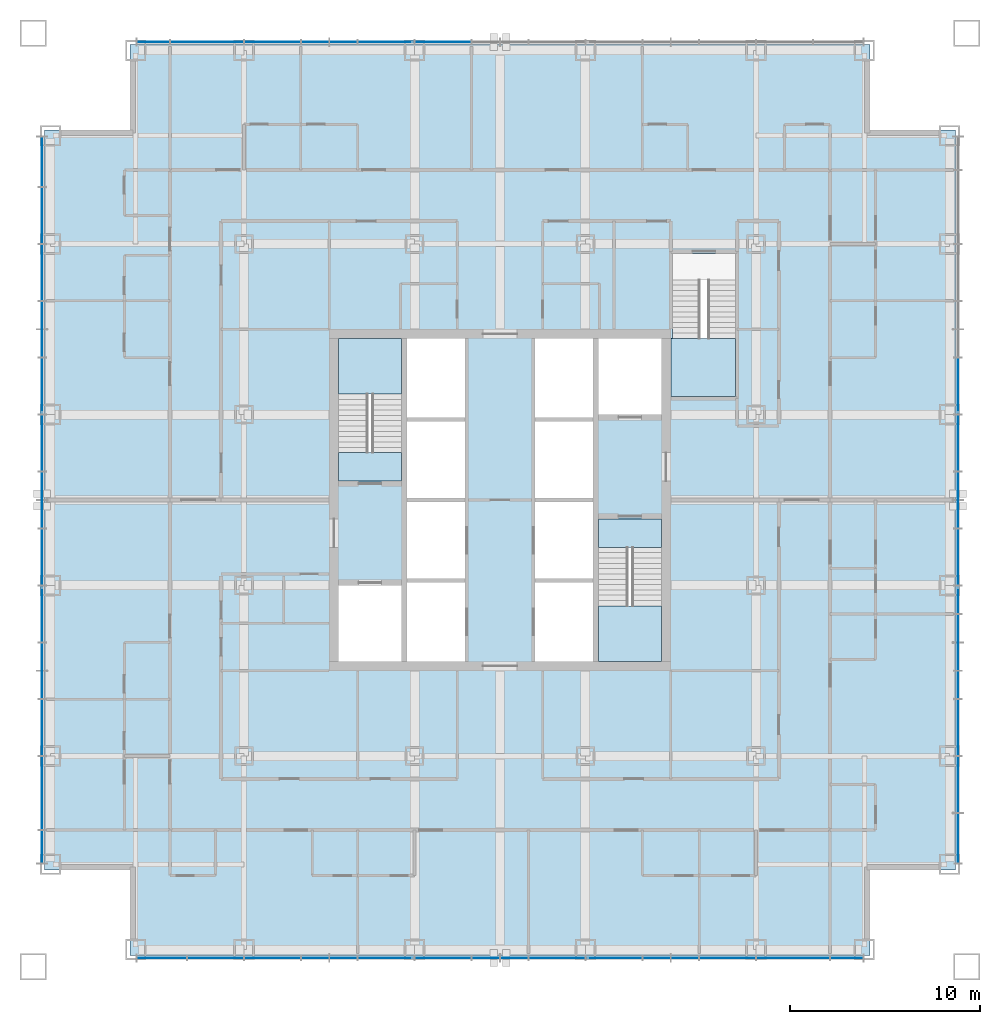
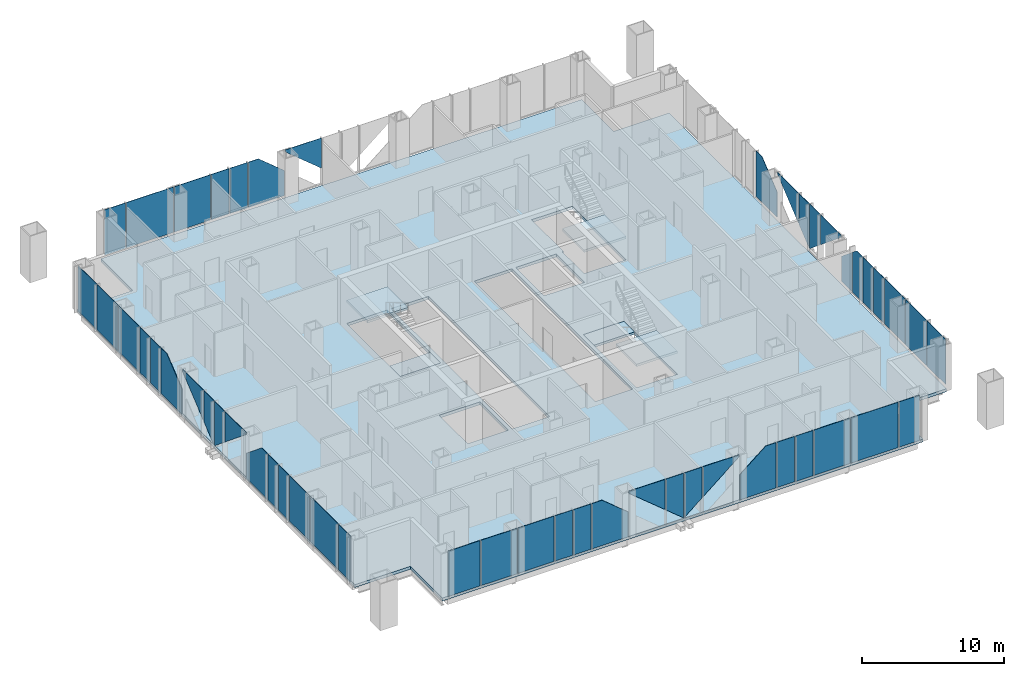
# One storey, part 7 of 17: 51 plates, 6 slabs, 7 elements without a shape of their own.
"""IFC4 building model written with IfcOpenShell, lengths in metres."""

from ifc_helpers import new_model, si_unit, direction, frame, origin, origin_2d, place, context, subcontext, project, spatial, polyline, rectangle, outline, extrude, material, layer, layer_set, type_object, element, aggregate, save


model = new_model("IFC4")

# Units and contexts
model_context = context("Model", 3, precision=1e-05, world=origin(), true_north=direction((0.0, 1.0)))
body_context = subcontext(model_context, "Body", "Model", "MODEL_VIEW")
ifc_project = project(units=[si_unit("LENGTHUNIT", "METRE"), si_unit("AREAUNIT", "SQUARE_METRE"), si_unit("VOLUMEUNIT", "CUBIC_METRE"), si_unit("PLANEANGLEUNIT", "RADIAN"), si_unit("MASSUNIT", "GRAM", prefix="KILO")], contexts=[model_context])

# Site, building, storey
site_placement = place(None, origin())
site = spatial("IfcSite", under=ifc_project, at=site_placement, CompositionType="ELEMENT")
building_placement = place(site_placement, origin())
building = spatial("IfcBuilding", under=site, at=building_placement, Name="Malebo Sky Hospital", CompositionType="ELEMENT")
storey_placement = place(building_placement, frame((0.0, 0.0, 120.0)))
storey = spatial("IfcBuildingStorey", under=building, at=storey_placement, Name="L28", CompositionType="ELEMENT", Elevation=120.0)

# Slab
ifc_material_1 = material(Name="Concrete C40/50", Category="concrete")
ifc_layer_1 = layer(ifc_material_1, 0.25)
ifc_layer_set_1 = layer_set([ifc_layer_1], Name="COMPOSITE FLOOR SLAB 250")
slab_type_1 = type_object("IfcSlabType", Name="COMPOSITE FLOOR SLAB 250", PredefinedType="FLOOR", material=ifc_layer_set_1)
slab_1_placement = place(storey_placement, frame((0.0, 0.0, -0.25)))
element("IfcSlab", 1, at=slab_1_placement, inside=storey, type_object=slab_type_1, Name="Floor slab L28", PredefinedType="FLOOR", context=body_context, shape_type="SweptSolid", body=[
    extrude(outline(polyline([(40.5, 86.0), (40.5, 81.5), (36.0, 81.5), (36.0, 42.5), (40.5, 42.5), (40.5, 38.0), (79.5, 38.0), (79.5, 42.5), (84.0, 42.5), (84.0, 81.5), (79.5, 81.5), (79.5, 86.0), (40.5, 86.0)]), holes=[polyline([(55.10009765625, 70.5), (58.14990234375, 70.5), (58.14990234375, 53.5), (55.10009765625, 53.5), (55.10009765625, 70.5)]), polyline([(64.89990234375, 70.5), (64.89990234375, 53.5), (61.85009765625, 53.5), (61.85009765625, 70.5), (64.89990234375, 70.5)]), polyline([(54.800048828125, 63.0), (51.5, 63.0), (51.5, 70.5), (54.800048828125, 70.5), (54.800048828125, 63.0)]), polyline([(51.5, 53.5), (51.5, 57.5), (54.800048828125, 57.5), (54.800048828125, 53.5), (51.5, 53.5)]), polyline([(65.199951171875, 61.0), (68.5, 61.0), (68.5, 53.5), (65.199951171875, 53.5), (65.199951171875, 61.0)]), polyline([(68.5, 70.5), (68.5, 66.5), (65.199951171875, 66.5), (65.199951171875, 70.5), (68.5, 70.5)]), polyline([(69.0, 67.449951171875), (69.0, 70.52001953125), (69.10009765625, 70.52001953125), (69.10009765625, 75.0), (72.39990234375, 75.0), (72.39990234375, 67.449951171875), (69.10009765625, 67.449951171875), (69.0, 67.449951171875)])]), origin(), (0.0, 0.0, 1.0), 0.25),
])

# Stair, slabs
stair_type_1 = type_object("IfcStairType", Name="HALF-TURN STAIR 1500 R167", PredefinedType="HALF_TURN_STAIR", material=ifc_material_1)
stair_1_placement = place(storey_placement, origin())
stair_1 = element("IfcStair", 2, at=stair_1_placement, inside=storey, type_object=stair_type_1, Name="Stair S1 L28 type ST1", PredefinedType="HALF_TURN_STAIR")
ifc_layer_2 = layer(ifc_material_1, 0.199951171875)
ifc_layer_set_2 = layer_set([ifc_layer_2], Name="STAIR LANDING 200")
slab_type_2 = type_object("IfcSlabType", Name="STAIR LANDING 200", PredefinedType="LANDING", material=ifc_layer_set_2)
slab_2_placement = place(storey_placement, frame((0.0, 0.0, -0.199951171875)))
slab_2 = element("IfcSlab", 3, at=slab_2_placement, type_object=slab_type_2, Name="S1 landing 1", PredefinedType="LANDING", context=body_context, shape_type="SweptSolid", body=[
    extrude(outline(polyline([(51.5, 63.0), (54.800048828125, 63.0), (54.800048828125, 64.5), (51.5, 64.5), (51.5, 63.0)])), origin(), (0.0, 0.0, 1.0), 0.199951171875),
])
slab_3_placement = place(storey_placement, frame((0.0, 0.0, 1.800048828125)))
slab_3 = element("IfcSlab", 4, at=slab_3_placement, type_object=slab_type_2, Name="S1 landing 2", PredefinedType="LANDING", context=body_context, shape_type="SweptSolid", body=[
    extrude(outline(polyline([(51.5, 67.580078125), (54.800048828125, 67.580078125), (54.800048828125, 70.5), (51.5, 70.5), (51.5, 67.580078125)])), origin(), (0.0, 0.0, 1.0), 0.199951171875),
])
aggregate(stair_1, [slab_2, slab_3])

stair_2_placement = place(storey_placement, origin())
stair_2 = element("IfcStair", 5, at=stair_2_placement, inside=storey, type_object=stair_type_1, Name="Stair S2 L28 type ST1", PredefinedType="HALF_TURN_STAIR")
slab_4_placement = place(storey_placement, frame((0.0, 0.0, -0.199951171875)))
slab_4 = element("IfcSlab", 6, at=slab_4_placement, type_object=slab_type_2, Name="S2 landing 1", PredefinedType="LANDING", context=body_context, shape_type="SweptSolid", body=[
    extrude(outline(polyline([(65.199951171875, 59.5), (68.5, 59.5), (68.5, 61.0), (65.199951171875, 61.0), (65.199951171875, 59.5)])), origin(), (0.0, 0.0, 1.0), 0.199951171875),
])
slab_5_placement = place(storey_placement, frame((0.0, 0.0, 1.800048828125)))
slab_5 = element("IfcSlab", 7, at=slab_5_placement, type_object=slab_type_2, Name="S2 landing 2", PredefinedType="LANDING", context=body_context, shape_type="SweptSolid", body=[
    extrude(outline(polyline([(65.199951171875, 53.5), (68.5, 53.5), (68.5, 56.419921875), (65.199951171875, 56.419921875), (65.199951171875, 53.5)])), origin(), (0.0, 0.0, 1.0), 0.199951171875),
])
aggregate(stair_2, [slab_4, slab_5])

# Stair, slab
stair_type_2 = type_object("IfcStairType", Name="HALF-TURN STAIR 1400 R167", PredefinedType="HALF_TURN_STAIR", material=ifc_material_1)
stair_3_placement = place(storey_placement, origin())
stair_3 = element("IfcStair", 8, at=stair_3_placement, inside=storey, type_object=stair_type_2, Name="Stair S3 L28 type ST1B", PredefinedType="HALF_TURN_STAIR")
slab_6_placement = place(storey_placement, frame((0.0, 0.0, 1.800048828125)))
slab_6 = element("IfcSlab", 9, at=slab_6_placement, type_object=slab_type_2, Name="S3 landing 2", PredefinedType="LANDING", context=body_context, shape_type="SweptSolid", body=[
    extrude(outline(polyline([(69.0, 67.449951171875), (72.39990234375, 67.449951171875), (72.39990234375, 70.52001953125), (69.0, 70.52001953125), (69.0, 67.449951171875)])), origin(), (0.0, 0.0, 1.0), 0.199951171875),
])
aggregate(stair_3, [slab_6])

# Curtain wall, plates
ifc_material_2 = material(Name="Anodised aluminium, natural silver", Category="aluminium")
ifc_layer_3 = layer(ifc_material_2, 0.25)
ifc_layer_set_3 = layer_set([ifc_layer_3], Name="WARD CURTAIN WALL NORTH AND SOUTH")
curtain_wall_type_1 = type_object("IfcCurtainWallType", Name="WARD CURTAIN WALL NORTH AND SOUTH", PredefinedType="NOTDEFINED", material=ifc_layer_set_3)
curtain_wall_1_placement = place(storey_placement, origin())
curtain_wall_1 = element("IfcCurtainWall", 10, at=curtain_wall_1_placement, inside=storey, type_object=curtain_wall_type_1, Name="NS curtain wall N", PredefinedType="NOTDEFINED")
ifc_material_3 = material(Name="Clear low-iron double glazing", Category="glass")
ifc_layer_4 = layer(ifc_material_3, 0.031982421875)
ifc_layer_set_4 = layer_set([ifc_layer_4], Name="VISION PANEL CLEAR 32")
plate_type = type_object("IfcPlateType", Name="VISION PANEL CLEAR 32", PredefinedType="CURTAIN_PANEL", material=ifc_layer_set_4)
plate_1_placement = place(storey_placement, frame((41.71875, 86.135009765625, 0.10009765625), z_axis=(0.0, 0.0, 1.0), x_axis=(1.0, 0.0, 0.0)))
plate_1 = element("IfcPlate", 11, at=plate_1_placement, type_object=plate_type, Name="Panel 1", PredefinedType="CURTAIN_PANEL", context=body_context, shape_type="SweptSolid", body=[
    extrude(rectangle(XDim=1.6875, YDim=0.031982421875, at=origin_2d()), origin(), (0.0, 0.0, 1.0), 3.889892578125),
])
plate_2_placement = place(storey_placement, frame((44.550048828125, 86.135009765625, 0.10009765625), z_axis=(0.0, 0.0, 1.0), x_axis=(1.0, 0.0, 0.0)))
plate_2 = element("IfcPlate", 12, at=plate_2_placement, type_object=plate_type, Name="Panel 2", PredefinedType="CURTAIN_PANEL", context=body_context, shape_type="SweptSolid", body=[
    extrude(rectangle(XDim=3.824951171875, YDim=0.031982421875, at=origin_2d()), origin(), (0.0, 0.0, 1.0), 3.889892578125),
])
plate_3_placement = place(storey_placement, frame((48.0, 86.135009765625, 0.10009765625), z_axis=(0.0, 0.0, 1.0), x_axis=(1.0, 0.0, 0.0)))
plate_3 = element("IfcPlate", 13, at=plate_3_placement, type_object=plate_type, Name="Panel 3", PredefinedType="CURTAIN_PANEL", context=body_context, shape_type="SweptSolid", body=[
    extrude(rectangle(XDim=2.925048828125, YDim=0.031982421875, at=origin_2d()), origin(), (0.0, 0.0, 1.0), 3.889892578125),
])
plate_4_placement = place(storey_placement, frame((50.25, 86.135009765625, 0.10009765625), z_axis=(0.0, 0.0, 1.0), x_axis=(1.0, 0.0, 0.0)))
plate_4 = element("IfcPlate", 14, at=plate_4_placement, type_object=plate_type, Name="Panel 4", PredefinedType="CURTAIN_PANEL", context=body_context, shape_type="SweptSolid", body=[
    extrude(rectangle(XDim=1.425048828125, YDim=0.031982421875, at=origin_2d()), origin(), (0.0, 0.0, 1.0), 3.889892578125),
])
plate_5_placement = place(storey_placement, frame((51.75, 86.135009765625, 0.10009765625), z_axis=(0.0, 0.0, 1.0), x_axis=(1.0, 0.0, 0.0)))
plate_5 = element("IfcPlate", 15, at=plate_5_placement, type_object=plate_type, Name="Panel 5", PredefinedType="CURTAIN_PANEL", context=body_context, shape_type="SweptSolid", body=[
    extrude(rectangle(XDim=1.425048828125, YDim=0.031982421875, at=origin_2d()), origin(), (0.0, 0.0, 1.0), 3.889892578125),
])
plate_6_placement = place(storey_placement, frame((54.0, 86.135009765625, 0.10009765625), z_axis=(0.0, 0.0, 1.0), x_axis=(1.0, 0.0, 0.0)))
plate_6 = element("IfcPlate", 16, at=plate_6_placement, type_object=plate_type, Name="Panel 6", PredefinedType="CURTAIN_PANEL", context=body_context, shape_type="SweptSolid", body=[
    extrude(outline(polyline([(-1.46240234375, 0.0), (1.46240234375, 0.0), (1.46240234375, 2.154296875), (-0.6435546875, 3.889892578125), (-1.46240234375, 3.889892578125), (-1.46240234375, 0.0)])), frame((0.0, 0.01611328125, 0.0), z_axis=(0.0, -1.0, 0.0), x_axis=(1.0, 0.0, 0.0)), (0.0, 0.0, 1.0), 0.031982421875),
])
plate_7_placement = place(storey_placement, frame((57.0, 86.135009765625, 1.40283203125), z_axis=(0.0, 0.0, 1.0), x_axis=(1.0, 0.0, 0.0)))
plate_7 = element("IfcPlate", 17, at=plate_7_placement, type_object=plate_type, Name="Panel 7", PredefinedType="CURTAIN_PANEL", context=body_context, shape_type="SweptSolid", body=[
    extrude(outline(polyline([(1.46240234375, 0.0), (1.46240234375, 2.587158203125), (-1.46240234375, 2.587158203125), (-1.46240234375, 2.410888671875), (1.46240234375, 0.0)])), frame((0.0, 0.01611328125, 0.0), z_axis=(0.0, -1.0, 0.0), x_axis=(1.0, 0.0, 0.0)), (0.0, 0.0, 1.0), 0.031982421875),
])
aggregate(curtain_wall_1, [plate_1, plate_2, plate_3, plate_4, plate_5, plate_6, plate_7])

ifc_layer_5 = layer(ifc_material_2, 0.25)
ifc_layer_set_5 = layer_set([ifc_layer_5], Name="WARD CURTAIN WALL EAST AND WEST")
curtain_wall_type_2 = type_object("IfcCurtainWallType", Name="WARD CURTAIN WALL EAST AND WEST", PredefinedType="NOTDEFINED", material=ifc_layer_set_5)
curtain_wall_2_placement = place(storey_placement, origin())
curtain_wall_2 = element("IfcCurtainWall", 18, at=curtain_wall_2_placement, inside=storey, type_object=curtain_wall_type_2, Name="EW curtain wall W", PredefinedType="NOTDEFINED")
plate_8_placement = place(storey_placement, frame((35.864990234375, 43.71875, 0.10009765625), z_axis=(0.0, 0.0, 1.0), x_axis=(0.0, 1.0, 0.0)))
plate_8 = element("IfcPlate", 19, at=plate_8_placement, type_object=plate_type, Name="Panel 1", PredefinedType="CURTAIN_PANEL", context=body_context, shape_type="SweptSolid", body=[
    extrude(rectangle(XDim=1.6875, YDim=0.031982421875, at=origin_2d()), origin(), (0.0, 0.0, 1.0), 3.889892578125),
])
plate_9_placement = place(storey_placement, frame((35.864990234375, 46.550048828125, 0.10009765625), z_axis=(0.0, 0.0, 1.0), x_axis=(0.0, 1.0, 0.0)))
plate_9 = element("IfcPlate", 20, at=plate_9_placement, type_object=plate_type, Name="Panel 2", PredefinedType="CURTAIN_PANEL", context=body_context, shape_type="SweptSolid", body=[
    extrude(rectangle(XDim=3.824951171875, YDim=0.031982421875, at=origin_2d()), origin(), (0.0, 0.0, 1.0), 3.889892578125),
])
plate_10_placement = place(storey_placement, frame((35.864990234375, 50.0, 0.10009765625), z_axis=(0.0, 0.0, 1.0), x_axis=(0.0, 1.0, 0.0)))
plate_10 = element("IfcPlate", 21, at=plate_10_placement, type_object=plate_type, Name="Panel 3", PredefinedType="CURTAIN_PANEL", context=body_context, shape_type="SweptSolid", body=[
    extrude(rectangle(XDim=2.925048828125, YDim=0.031982421875, at=origin_2d()), origin(), (0.0, 0.0, 1.0), 3.889892578125),
])
plate_11_placement = place(storey_placement, frame((35.864990234375, 52.25, 0.10009765625), z_axis=(0.0, 0.0, 1.0), x_axis=(0.0, 1.0, 0.0)))
plate_11 = element("IfcPlate", 22, at=plate_11_placement, type_object=plate_type, Name="Panel 4", PredefinedType="CURTAIN_PANEL", context=body_context, shape_type="SweptSolid", body=[
    extrude(rectangle(XDim=1.425048828125, YDim=0.031982421875, at=origin_2d()), origin(), (0.0, 0.0, 1.0), 3.889892578125),
])
plate_12_placement = place(storey_placement, frame((35.864990234375, 53.75, 0.10009765625), z_axis=(0.0, 0.0, 1.0), x_axis=(0.0, 1.0, 0.0)))
plate_12 = element("IfcPlate", 23, at=plate_12_placement, type_object=plate_type, Name="Panel 5", PredefinedType="CURTAIN_PANEL", context=body_context, shape_type="SweptSolid", body=[
    extrude(rectangle(XDim=1.425048828125, YDim=0.031982421875, at=origin_2d()), origin(), (0.0, 0.0, 1.0), 3.889892578125),
])
plate_13_placement = place(storey_placement, frame((35.864990234375, 56.0, 0.10009765625), z_axis=(0.0, 0.0, 1.0), x_axis=(0.0, 1.0, 0.0)))
plate_13 = element("IfcPlate", 24, at=plate_13_placement, type_object=plate_type, Name="Panel 6", PredefinedType="CURTAIN_PANEL", context=body_context, shape_type="SweptSolid", body=[
    extrude(outline(polyline([(-1.46240234375, 0.0), (1.46240234375, 0.0), (1.46240234375, 2.154296875), (-0.6435546875, 3.889892578125), (-1.46240234375, 3.889892578125), (-1.46240234375, 0.0)])), frame((0.0, 0.01611328125, 0.0), z_axis=(0.0, -1.0, 0.0), x_axis=(1.0, 0.0, 0.0)), (0.0, 0.0, 1.0), 0.031982421875),
])
plate_14_placement = place(storey_placement, frame((35.864990234375, 59.0, 1.40283203125), z_axis=(0.0, 0.0, 1.0), x_axis=(0.0, 1.0, 0.0)))
plate_14 = element("IfcPlate", 25, at=plate_14_placement, type_object=plate_type, Name="Panel 7", PredefinedType="CURTAIN_PANEL", context=body_context, shape_type="SweptSolid", body=[
    extrude(outline(polyline([(1.46240234375, 0.0), (1.46240234375, 2.587158203125), (-1.46240234375, 2.587158203125), (-1.46240234375, 2.410888671875), (1.46240234375, 0.0)])), frame((0.0, 0.01611328125, 0.0), z_axis=(0.0, -1.0, 0.0), x_axis=(1.0, 0.0, 0.0)), (0.0, 0.0, 1.0), 0.031982421875),
])
plate_15_placement = place(storey_placement, frame((35.864990234375, 61.25, 0.16650390625), z_axis=(0.0, 0.0, 1.0), x_axis=(0.0, 1.0, 0.0)))
plate_15 = element("IfcPlate", 26, at=plate_15_placement, type_object=plate_type, Name="Panel 8", PredefinedType="CURTAIN_PANEL", context=body_context, shape_type="SweptSolid", body=[
    extrude(outline(polyline([(0.71240234375, 0.0), (0.71240234375, 3.823486328125), (-0.71240234375, 3.823486328125), (-0.71240234375, 1.174560546875), (0.71240234375, 0.0)])), frame((0.0, 0.01611328125, 0.0), z_axis=(0.0, -1.0, 0.0), x_axis=(1.0, 0.0, 0.0)), (0.0, 0.0, 1.0), 0.031982421875),
])
plate_16_placement = place(storey_placement, frame((35.864990234375, 62.75, 0.16650390625), z_axis=(0.0, 0.0, 1.0), x_axis=(0.0, 1.0, 0.0)))
plate_16 = element("IfcPlate", 27, at=plate_16_placement, type_object=plate_type, Name="Panel 9", PredefinedType="CURTAIN_PANEL", context=body_context, shape_type="SweptSolid", body=[
    extrude(outline(polyline([(-0.71240234375, 0.0), (0.71240234375, 1.174560546875), (0.71240234375, 3.823486328125), (-0.71240234375, 3.823486328125), (-0.71240234375, 0.0)])), frame((0.0, 0.01611328125, 0.0), z_axis=(0.0, -1.0, 0.0), x_axis=(1.0, 0.0, 0.0)), (0.0, 0.0, 1.0), 0.031982421875),
])
plate_17_placement = place(storey_placement, frame((35.864990234375, 65.0, 1.40283203125), z_axis=(0.0, 0.0, 1.0), x_axis=(0.0, 1.0, 0.0)))
plate_17 = element("IfcPlate", 28, at=plate_17_placement, type_object=plate_type, Name="Panel 10", PredefinedType="CURTAIN_PANEL", context=body_context, shape_type="SweptSolid", body=[
    extrude(outline(polyline([(-1.46240234375, 0.0), (1.46240234375, 2.410888671875), (1.46240234375, 2.587158203125), (-1.46240234375, 2.587158203125), (-1.46240234375, 0.0)])), frame((0.0, 0.01611328125, 0.0), z_axis=(0.0, -1.0, 0.0), x_axis=(1.0, 0.0, 0.0)), (0.0, 0.0, 1.0), 0.031982421875),
])
plate_18_placement = place(storey_placement, frame((35.864990234375, 68.0, 0.10009765625), z_axis=(0.0, 0.0, 1.0), x_axis=(0.0, 1.0, 0.0)))
plate_18 = element("IfcPlate", 29, at=plate_18_placement, type_object=plate_type, Name="Panel 11", PredefinedType="CURTAIN_PANEL", context=body_context, shape_type="SweptSolid", body=[
    extrude(outline(polyline([(-1.46240234375, 0.0), (1.46240234375, 0.0), (1.46240234375, 3.889892578125), (0.6435546875, 3.889892578125), (-1.46240234375, 2.154296875), (-1.46240234375, 0.0)])), frame((0.0, 0.01611328125, 0.0), z_axis=(0.0, -1.0, 0.0), x_axis=(1.0, 0.0, 0.0)), (0.0, 0.0, 1.0), 0.031982421875),
])
plate_19_placement = place(storey_placement, frame((35.864990234375, 70.25, 0.10009765625), z_axis=(0.0, 0.0, 1.0), x_axis=(0.0, 1.0, 0.0)))
plate_19 = element("IfcPlate", 30, at=plate_19_placement, type_object=plate_type, Name="Panel 12", PredefinedType="CURTAIN_PANEL", context=body_context, shape_type="SweptSolid", body=[
    extrude(rectangle(XDim=1.425048828125, YDim=0.031982421875, at=origin_2d()), origin(), (0.0, 0.0, 1.0), 3.889892578125),
])
plate_20_placement = place(storey_placement, frame((35.864990234375, 71.75, 0.10009765625), z_axis=(0.0, 0.0, 1.0), x_axis=(0.0, 1.0, 0.0)))
plate_20 = element("IfcPlate", 31, at=plate_20_placement, type_object=plate_type, Name="Panel 13", PredefinedType="CURTAIN_PANEL", context=body_context, shape_type="SweptSolid", body=[
    extrude(rectangle(XDim=1.425048828125, YDim=0.031982421875, at=origin_2d()), origin(), (0.0, 0.0, 1.0), 3.889892578125),
])
plate_21_placement = place(storey_placement, frame((35.864990234375, 74.0, 0.10009765625), z_axis=(0.0, 0.0, 1.0), x_axis=(0.0, 1.0, 0.0)))
plate_21 = element("IfcPlate", 32, at=plate_21_placement, type_object=plate_type, Name="Panel 14", PredefinedType="CURTAIN_PANEL", context=body_context, shape_type="SweptSolid", body=[
    extrude(rectangle(XDim=2.925048828125, YDim=0.031982421875, at=origin_2d()), origin(), (0.0, 0.0, 1.0), 3.889892578125),
])
plate_22_placement = place(storey_placement, frame((35.864990234375, 77.0, 0.10009765625), z_axis=(0.0, 0.0, 1.0), x_axis=(0.0, 1.0, 0.0)))
plate_22 = element("IfcPlate", 33, at=plate_22_placement, type_object=plate_type, Name="Panel 15", PredefinedType="CURTAIN_PANEL", context=body_context, shape_type="SweptSolid", body=[
    extrude(rectangle(XDim=2.925048828125, YDim=0.031982421875, at=origin_2d()), origin(), (0.0, 0.0, 1.0), 3.889892578125),
])
plate_23_placement = place(storey_placement, frame((35.864990234375, 79.831298828125, 0.10009765625), z_axis=(0.0, 0.0, 1.0), x_axis=(0.0, 1.0, 0.0)))
plate_23 = element("IfcPlate", 34, at=plate_23_placement, type_object=plate_type, Name="Panel 16", PredefinedType="CURTAIN_PANEL", context=body_context, shape_type="SweptSolid", body=[
    extrude(rectangle(XDim=2.58740234375, YDim=0.031982421875, at=origin_2d()), origin(), (0.0, 0.0, 1.0), 3.889892578125),
])
aggregate(curtain_wall_2, [plate_8, plate_9, plate_10, plate_11, plate_12, plate_13, plate_14, plate_15, plate_16, plate_17, plate_18, plate_19, plate_20, plate_21, plate_22, plate_23])

curtain_wall_3_placement = place(storey_placement, origin())
curtain_wall_3 = element("IfcCurtainWall", 35, at=curtain_wall_3_placement, inside=storey, type_object=curtain_wall_type_1, Name="NS curtain wall S", PredefinedType="NOTDEFINED")
plate_24_placement = place(storey_placement, frame((78.28125, 37.864990234375, 0.10009765625), z_axis=(0.0, 0.0, 1.0), x_axis=(-1.0, 0.0, 0.0)))
plate_24 = element("IfcPlate", 36, at=plate_24_placement, type_object=plate_type, Name="Panel 1", PredefinedType="CURTAIN_PANEL", context=body_context, shape_type="SweptSolid", body=[
    extrude(rectangle(XDim=1.6875, YDim=0.031982421875, at=origin_2d()), origin(), (0.0, 0.0, 1.0), 3.889892578125),
])
plate_25_placement = place(storey_placement, frame((75.449951171875, 37.864990234375, 0.10009765625), z_axis=(0.0, 0.0, 1.0), x_axis=(-1.0, 0.0, 0.0)))
plate_25 = element("IfcPlate", 37, at=plate_25_placement, type_object=plate_type, Name="Panel 2", PredefinedType="CURTAIN_PANEL", context=body_context, shape_type="SweptSolid", body=[
    extrude(rectangle(XDim=3.824951171875, YDim=0.031982421875, at=origin_2d()), origin(), (0.0, 0.0, 1.0), 3.889892578125),
])
plate_26_placement = place(storey_placement, frame((72.0, 37.864990234375, 0.10009765625), z_axis=(0.0, 0.0, 1.0), x_axis=(-1.0, 0.0, 0.0)))
plate_26 = element("IfcPlate", 38, at=plate_26_placement, type_object=plate_type, Name="Panel 3", PredefinedType="CURTAIN_PANEL", context=body_context, shape_type="SweptSolid", body=[
    extrude(rectangle(XDim=2.925048828125, YDim=0.031982421875, at=origin_2d()), origin(), (0.0, 0.0, 1.0), 3.889892578125),
])
plate_27_placement = place(storey_placement, frame((69.75, 37.864990234375, 0.10009765625), z_axis=(0.0, 0.0, 1.0), x_axis=(-1.0, 0.0, 0.0)))
plate_27 = element("IfcPlate", 39, at=plate_27_placement, type_object=plate_type, Name="Panel 4", PredefinedType="CURTAIN_PANEL", context=body_context, shape_type="SweptSolid", body=[
    extrude(rectangle(XDim=1.425048828125, YDim=0.031982421875, at=origin_2d()), origin(), (0.0, 0.0, 1.0), 3.889892578125),
])
plate_28_placement = place(storey_placement, frame((68.25, 37.864990234375, 0.10009765625), z_axis=(0.0, 0.0, 1.0), x_axis=(-1.0, 0.0, 0.0)))
plate_28 = element("IfcPlate", 40, at=plate_28_placement, type_object=plate_type, Name="Panel 5", PredefinedType="CURTAIN_PANEL", context=body_context, shape_type="SweptSolid", body=[
    extrude(rectangle(XDim=1.425048828125, YDim=0.031982421875, at=origin_2d()), origin(), (0.0, 0.0, 1.0), 3.889892578125),
])
plate_29_placement = place(storey_placement, frame((66.0, 37.864990234375, 0.10009765625), z_axis=(0.0, 0.0, 1.0), x_axis=(-1.0, 0.0, 0.0)))
plate_29 = element("IfcPlate", 41, at=plate_29_placement, type_object=plate_type, Name="Panel 6", PredefinedType="CURTAIN_PANEL", context=body_context, shape_type="SweptSolid", body=[
    extrude(outline(polyline([(-1.46240234375, 0.0), (1.46240234375, 0.0), (1.46240234375, 2.154296875), (-0.6435546875, 3.889892578125), (-1.46240234375, 3.889892578125), (-1.46240234375, 0.0)])), frame((0.0, 0.01611328125, 0.0), z_axis=(0.0, -1.0, 0.0), x_axis=(1.0, 0.0, 0.0)), (0.0, 0.0, 1.0), 0.031982421875),
])
plate_30_placement = place(storey_placement, frame((63.0, 37.864990234375, 1.40283203125), z_axis=(0.0, 0.0, 1.0), x_axis=(-1.0, 0.0, 0.0)))
plate_30 = element("IfcPlate", 42, at=plate_30_placement, type_object=plate_type, Name="Panel 7", PredefinedType="CURTAIN_PANEL", context=body_context, shape_type="SweptSolid", body=[
    extrude(outline(polyline([(1.46240234375, 0.0), (1.46240234375, 2.587158203125), (-1.46240234375, 2.587158203125), (-1.46240234375, 2.410888671875), (1.46240234375, 0.0)])), frame((0.0, 0.01611328125, 0.0), z_axis=(0.0, -1.0, 0.0), x_axis=(1.0, 0.0, 0.0)), (0.0, 0.0, 1.0), 0.031982421875),
])
plate_31_placement = place(storey_placement, frame((60.75, 37.864990234375, 0.16650390625), z_axis=(0.0, 0.0, 1.0), x_axis=(-1.0, 0.0, 0.0)))
plate_31 = element("IfcPlate", 43, at=plate_31_placement, type_object=plate_type, Name="Panel 8", PredefinedType="CURTAIN_PANEL", context=body_context, shape_type="SweptSolid", body=[
    extrude(outline(polyline([(0.71240234375, 0.0), (0.71240234375, 3.823486328125), (-0.71240234375, 3.823486328125), (-0.71240234375, 1.174560546875), (0.71240234375, 0.0)])), frame((0.0, 0.01611328125, 0.0), z_axis=(0.0, -1.0, 0.0), x_axis=(1.0, 0.0, 0.0)), (0.0, 0.0, 1.0), 0.031982421875),
])
plate_32_placement = place(storey_placement, frame((59.25, 37.864990234375, 0.16650390625), z_axis=(0.0, 0.0, 1.0), x_axis=(-1.0, 0.0, 0.0)))
plate_32 = element("IfcPlate", 44, at=plate_32_placement, type_object=plate_type, Name="Panel 9", PredefinedType="CURTAIN_PANEL", context=body_context, shape_type="SweptSolid", body=[
    extrude(outline(polyline([(-0.71240234375, 0.0), (0.71240234375, 1.174560546875), (0.71240234375, 3.823486328125), (-0.71240234375, 3.823486328125), (-0.71240234375, 0.0)])), frame((0.0, 0.01611328125, 0.0), z_axis=(0.0, -1.0, 0.0), x_axis=(1.0, 0.0, 0.0)), (0.0, 0.0, 1.0), 0.031982421875),
])
plate_33_placement = place(storey_placement, frame((57.0, 37.864990234375, 1.40283203125), z_axis=(0.0, 0.0, 1.0), x_axis=(-1.0, 0.0, 0.0)))
plate_33 = element("IfcPlate", 45, at=plate_33_placement, type_object=plate_type, Name="Panel 10", PredefinedType="CURTAIN_PANEL", context=body_context, shape_type="SweptSolid", body=[
    extrude(outline(polyline([(-1.46240234375, 0.0), (1.46240234375, 2.410888671875), (1.46240234375, 2.587158203125), (-1.46240234375, 2.587158203125), (-1.46240234375, 0.0)])), frame((0.0, 0.01611328125, 0.0), z_axis=(0.0, -1.0, 0.0), x_axis=(1.0, 0.0, 0.0)), (0.0, 0.0, 1.0), 0.031982421875),
])
plate_34_placement = place(storey_placement, frame((54.0, 37.864990234375, 0.10009765625), z_axis=(0.0, 0.0, 1.0), x_axis=(-1.0, 0.0, 0.0)))
plate_34 = element("IfcPlate", 46, at=plate_34_placement, type_object=plate_type, Name="Panel 11", PredefinedType="CURTAIN_PANEL", context=body_context, shape_type="SweptSolid", body=[
    extrude(outline(polyline([(-1.46240234375, 0.0), (1.46240234375, 0.0), (1.46240234375, 3.889892578125), (0.6435546875, 3.889892578125), (-1.46240234375, 2.154296875), (-1.46240234375, 0.0)])), frame((0.0, 0.01611328125, 0.0), z_axis=(0.0, -1.0, 0.0), x_axis=(1.0, 0.0, 0.0)), (0.0, 0.0, 1.0), 0.031982421875),
])
plate_35_placement = place(storey_placement, frame((51.75, 37.864990234375, 0.10009765625), z_axis=(0.0, 0.0, 1.0), x_axis=(-1.0, 0.0, 0.0)))
plate_35 = element("IfcPlate", 47, at=plate_35_placement, type_object=plate_type, Name="Panel 12", PredefinedType="CURTAIN_PANEL", context=body_context, shape_type="SweptSolid", body=[
    extrude(rectangle(XDim=1.425048828125, YDim=0.031982421875, at=origin_2d()), origin(), (0.0, 0.0, 1.0), 3.889892578125),
])
plate_36_placement = place(storey_placement, frame((50.25, 37.864990234375, 0.10009765625), z_axis=(0.0, 0.0, 1.0), x_axis=(-1.0, 0.0, 0.0)))
plate_36 = element("IfcPlate", 48, at=plate_36_placement, type_object=plate_type, Name="Panel 13", PredefinedType="CURTAIN_PANEL", context=body_context, shape_type="SweptSolid", body=[
    extrude(rectangle(XDim=1.425048828125, YDim=0.031982421875, at=origin_2d()), origin(), (0.0, 0.0, 1.0), 3.889892578125),
])
plate_37_placement = place(storey_placement, frame((48.0, 37.864990234375, 0.10009765625), z_axis=(0.0, 0.0, 1.0), x_axis=(-1.0, 0.0, 0.0)))
plate_37 = element("IfcPlate", 49, at=plate_37_placement, type_object=plate_type, Name="Panel 14", PredefinedType="CURTAIN_PANEL", context=body_context, shape_type="SweptSolid", body=[
    extrude(rectangle(XDim=2.925048828125, YDim=0.031982421875, at=origin_2d()), origin(), (0.0, 0.0, 1.0), 3.889892578125),
])
plate_38_placement = place(storey_placement, frame((45.0, 37.864990234375, 0.10009765625), z_axis=(0.0, 0.0, 1.0), x_axis=(-1.0, 0.0, 0.0)))
plate_38 = element("IfcPlate", 50, at=plate_38_placement, type_object=plate_type, Name="Panel 15", PredefinedType="CURTAIN_PANEL", context=body_context, shape_type="SweptSolid", body=[
    extrude(rectangle(XDim=2.925048828125, YDim=0.031982421875, at=origin_2d()), origin(), (0.0, 0.0, 1.0), 3.889892578125),
])
plate_39_placement = place(storey_placement, frame((42.168701171875, 37.864990234375, 0.10009765625), z_axis=(0.0, 0.0, 1.0), x_axis=(-1.0, 0.0, 0.0)))
plate_39 = element("IfcPlate", 51, at=plate_39_placement, type_object=plate_type, Name="Panel 16", PredefinedType="CURTAIN_PANEL", context=body_context, shape_type="SweptSolid", body=[
    extrude(rectangle(XDim=2.58740234375, YDim=0.031982421875, at=origin_2d()), origin(), (0.0, 0.0, 1.0), 3.889892578125),
])
aggregate(curtain_wall_3, [plate_24, plate_25, plate_26, plate_27, plate_28, plate_29, plate_30, plate_31, plate_32, plate_33, plate_34, plate_35, plate_36, plate_37, plate_38, plate_39])

curtain_wall_4_placement = place(storey_placement, origin())
curtain_wall_4 = element("IfcCurtainWall", 52, at=curtain_wall_4_placement, inside=storey, type_object=curtain_wall_type_2, Name="EW curtain wall E", PredefinedType="NOTDEFINED")
plate_40_placement = place(storey_placement, frame((84.135009765625, 68.0, 0.10009765625), z_axis=(0.0, 0.0, 1.0), x_axis=(0.0, -1.0, 0.0)))
plate_40 = element("IfcPlate", 53, at=plate_40_placement, type_object=plate_type, Name="Panel 6", PredefinedType="CURTAIN_PANEL", context=body_context, shape_type="SweptSolid", body=[
    extrude(outline(polyline([(-1.46240234375, 0.0), (1.46240234375, 0.0), (1.46240234375, 2.154296875), (-0.6435546875, 3.889892578125), (-1.46240234375, 3.889892578125), (-1.46240234375, 0.0)])), frame((0.0, 0.01611328125, 0.0), z_axis=(0.0, -1.0, 0.0), x_axis=(1.0, 0.0, 0.0)), (0.0, 0.0, 1.0), 0.031982421875),
])
plate_41_placement = place(storey_placement, frame((84.135009765625, 65.0, 1.40283203125), z_axis=(0.0, 0.0, 1.0), x_axis=(0.0, -1.0, 0.0)))
plate_41 = element("IfcPlate", 54, at=plate_41_placement, type_object=plate_type, Name="Panel 7", PredefinedType="CURTAIN_PANEL", context=body_context, shape_type="SweptSolid", body=[
    extrude(outline(polyline([(1.46240234375, 0.0), (1.46240234375, 2.587158203125), (-1.46240234375, 2.587158203125), (-1.46240234375, 2.410888671875), (1.46240234375, 0.0)])), frame((0.0, 0.01611328125, 0.0), z_axis=(0.0, -1.0, 0.0), x_axis=(1.0, 0.0, 0.0)), (0.0, 0.0, 1.0), 0.031982421875),
])
plate_42_placement = place(storey_placement, frame((84.135009765625, 62.75, 0.16650390625), z_axis=(0.0, 0.0, 1.0), x_axis=(0.0, -1.0, 0.0)))
plate_42 = element("IfcPlate", 55, at=plate_42_placement, type_object=plate_type, Name="Panel 8", PredefinedType="CURTAIN_PANEL", context=body_context, shape_type="SweptSolid", body=[
    extrude(outline(polyline([(0.71240234375, 0.0), (0.71240234375, 3.823486328125), (-0.71240234375, 3.823486328125), (-0.71240234375, 1.174560546875), (0.71240234375, 0.0)])), frame((0.0, 0.01611328125, 0.0), z_axis=(0.0, -1.0, 0.0), x_axis=(1.0, 0.0, 0.0)), (0.0, 0.0, 1.0), 0.031982421875),
])
plate_43_placement = place(storey_placement, frame((84.135009765625, 61.25, 0.16650390625), z_axis=(0.0, 0.0, 1.0), x_axis=(0.0, -1.0, 0.0)))
plate_43 = element("IfcPlate", 56, at=plate_43_placement, type_object=plate_type, Name="Panel 9", PredefinedType="CURTAIN_PANEL", context=body_context, shape_type="SweptSolid", body=[
    extrude(outline(polyline([(-0.71240234375, 0.0), (0.71240234375, 1.174560546875), (0.71240234375, 3.823486328125), (-0.71240234375, 3.823486328125), (-0.71240234375, 0.0)])), frame((0.0, 0.01611328125, 0.0), z_axis=(0.0, -1.0, 0.0), x_axis=(1.0, 0.0, 0.0)), (0.0, 0.0, 1.0), 0.031982421875),
])
plate_44_placement = place(storey_placement, frame((84.135009765625, 59.0, 1.40283203125), z_axis=(0.0, 0.0, 1.0), x_axis=(0.0, -1.0, 0.0)))
plate_44 = element("IfcPlate", 57, at=plate_44_placement, type_object=plate_type, Name="Panel 10", PredefinedType="CURTAIN_PANEL", context=body_context, shape_type="SweptSolid", body=[
    extrude(outline(polyline([(-1.46240234375, 0.0), (1.46240234375, 2.410888671875), (1.46240234375, 2.587158203125), (-1.46240234375, 2.587158203125), (-1.46240234375, 0.0)])), frame((0.0, 0.01611328125, 0.0), z_axis=(0.0, -1.0, 0.0), x_axis=(1.0, 0.0, 0.0)), (0.0, 0.0, 1.0), 0.031982421875),
])
plate_45_placement = place(storey_placement, frame((84.135009765625, 56.75, 0.10009765625), z_axis=(0.0, 0.0, 1.0), x_axis=(0.0, -1.0, 0.0)))
plate_45 = element("IfcPlate", 58, at=plate_45_placement, type_object=plate_type, Name="Panel 11", PredefinedType="CURTAIN_PANEL", context=body_context, shape_type="SweptSolid", body=[
    extrude(outline(polyline([(-0.71240234375, 0.0), (0.71240234375, 0.0), (0.71240234375, 3.32861328125), (-0.71240234375, 2.154296875), (-0.71240234375, 0.0)])), frame((0.0, 0.01611328125, 0.0), z_axis=(0.0, -1.0, 0.0), x_axis=(1.0, 0.0, 0.0)), (0.0, 0.0, 1.0), 0.031982421875),
])
plate_46_placement = place(storey_placement, frame((84.135009765625, 55.25, 0.10009765625), z_axis=(0.0, 0.0, 1.0), x_axis=(0.0, -1.0, 0.0)))
plate_46 = element("IfcPlate", 59, at=plate_46_placement, type_object=plate_type, Name="Panel 12", PredefinedType="CURTAIN_PANEL", context=body_context, shape_type="SweptSolid", body=[
    extrude(outline(polyline([(-0.71240234375, 0.0), (0.71240234375, 0.0), (0.71240234375, 3.889892578125), (-0.1064453125, 3.889892578125), (-0.71240234375, 3.390380859375), (-0.71240234375, 0.0)])), frame((0.0, 0.01611328125, 0.0), z_axis=(0.0, -1.0, 0.0), x_axis=(1.0, 0.0, 0.0)), (0.0, 0.0, 1.0), 0.031982421875),
])
plate_47_placement = place(storey_placement, frame((84.135009765625, 53.75, 0.10009765625), z_axis=(0.0, 0.0, 1.0), x_axis=(0.0, -1.0, 0.0)))
plate_47 = element("IfcPlate", 60, at=plate_47_placement, type_object=plate_type, Name="Panel 13", PredefinedType="CURTAIN_PANEL", context=body_context, shape_type="SweptSolid", body=[
    extrude(rectangle(XDim=1.425048828125, YDim=0.031982421875, at=origin_2d()), origin(), (0.0, 0.0, 1.0), 3.889892578125),
])
plate_48_placement = place(storey_placement, frame((84.135009765625, 52.25, 0.10009765625), z_axis=(0.0, 0.0, 1.0), x_axis=(0.0, -1.0, 0.0)))
plate_48 = element("IfcPlate", 61, at=plate_48_placement, type_object=plate_type, Name="Panel 14", PredefinedType="CURTAIN_PANEL", context=body_context, shape_type="SweptSolid", body=[
    extrude(rectangle(XDim=1.425048828125, YDim=0.031982421875, at=origin_2d()), origin(), (0.0, 0.0, 1.0), 3.889892578125),
])
plate_49_placement = place(storey_placement, frame((84.135009765625, 50.0, 0.10009765625), z_axis=(0.0, 0.0, 1.0), x_axis=(0.0, -1.0, 0.0)))
plate_49 = element("IfcPlate", 62, at=plate_49_placement, type_object=plate_type, Name="Panel 15", PredefinedType="CURTAIN_PANEL", context=body_context, shape_type="SweptSolid", body=[
    extrude(rectangle(XDim=2.925048828125, YDim=0.031982421875, at=origin_2d()), origin(), (0.0, 0.0, 1.0), 3.889892578125),
])
plate_50_placement = place(storey_placement, frame((84.135009765625, 47.0, 0.10009765625), z_axis=(0.0, 0.0, 1.0), x_axis=(0.0, -1.0, 0.0)))
plate_50 = element("IfcPlate", 63, at=plate_50_placement, type_object=plate_type, Name="Panel 16", PredefinedType="CURTAIN_PANEL", context=body_context, shape_type="SweptSolid", body=[
    extrude(rectangle(XDim=2.925048828125, YDim=0.031982421875, at=origin_2d()), origin(), (0.0, 0.0, 1.0), 3.889892578125),
])
plate_51_placement = place(storey_placement, frame((84.135009765625, 44.168701171875, 0.10009765625), z_axis=(0.0, 0.0, 1.0), x_axis=(0.0, -1.0, 0.0)))
plate_51 = element("IfcPlate", 64, at=plate_51_placement, type_object=plate_type, Name="Panel 17", PredefinedType="CURTAIN_PANEL", context=body_context, shape_type="SweptSolid", body=[
    extrude(rectangle(XDim=2.58740234375, YDim=0.031982421875, at=origin_2d()), origin(), (0.0, 0.0, 1.0), 3.889892578125),
])
aggregate(curtain_wall_4, [plate_40, plate_41, plate_42, plate_43, plate_44, plate_45, plate_46, plate_47, plate_48, plate_49, plate_50, plate_51])

save(model, "model.ifc")
